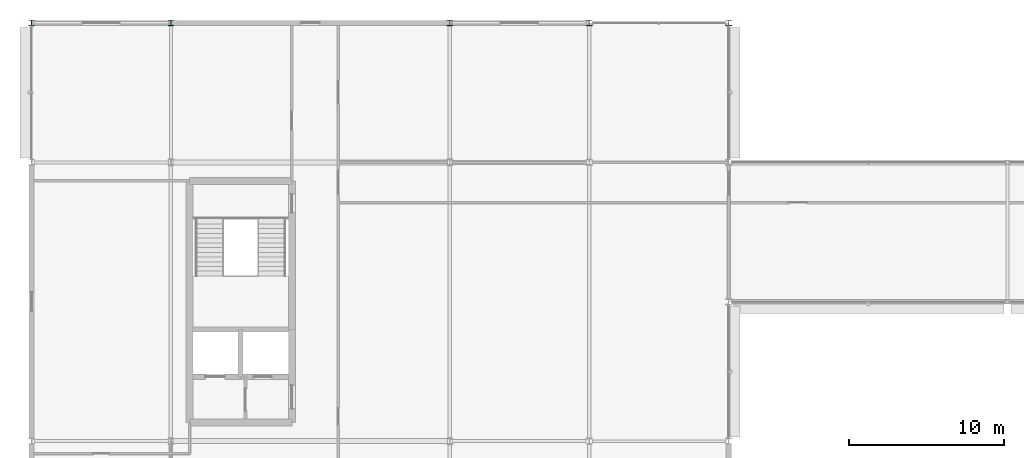
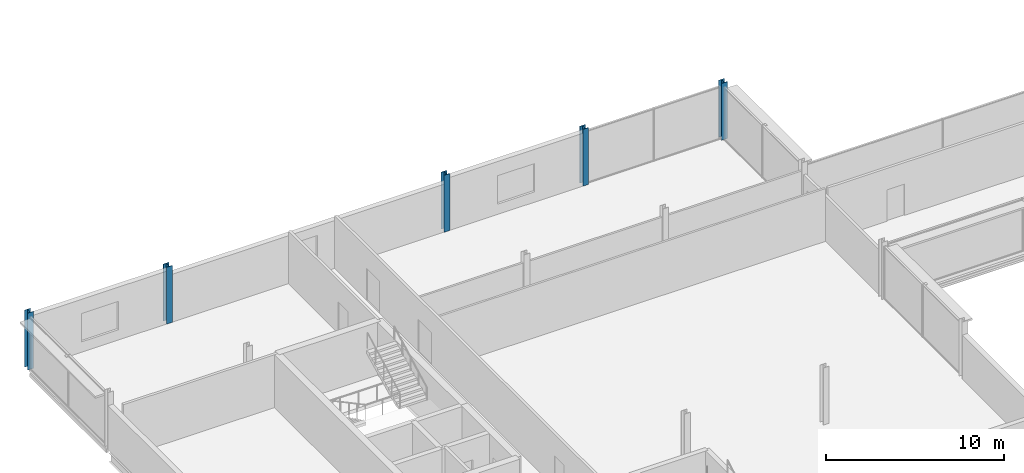
# One storey, part 7 of 98: 5 columns.
"""IFC4 building model written with IfcOpenShell, lengths in metres."""

from ifc_helpers import new_model, si_unit, direction, frame, origin, origin_2d, place, context, subcontext, project, spatial, i_section, extrude, material, material_profile, profile_set, type_object, element, save


model = new_model("IFC4")

# Units and contexts
model_context = context("Model", 3, precision=1e-05, world=origin(), true_north=direction((0.0, 1.0)))
body_context = subcontext(model_context, "Body", "Model", "MODEL_VIEW")
ifc_project = project(units=[si_unit("LENGTHUNIT", "METRE"), si_unit("AREAUNIT", "SQUARE_METRE"), si_unit("VOLUMEUNIT", "CUBIC_METRE"), si_unit("PLANEANGLEUNIT", "RADIAN"), si_unit("MASSUNIT", "GRAM", prefix="KILO")], contexts=[model_context])

# Site, building, storey
site_placement = place(None, origin())
site = spatial("IfcSite", under=ifc_project, at=site_placement, CompositionType="ELEMENT")
building_placement = place(site_placement, origin())
building = spatial("IfcBuilding", under=site, at=building_placement, Name="Kisiwana Market Hall", CompositionType="ELEMENT")
storey_placement = place(building_placement, frame((0.0, 0.0, 29.39990234375)))
storey = spatial("IfcBuildingStorey", under=building, at=storey_placement, Name="L06", CompositionType="ELEMENT", Elevation=29.39990234375)

# Columns
ifc_material_1 = material(Name="Steel S355", Category="steel")
ifc_material_profile_1 = material_profile(ifc_material_1, i_section(OverallWidth=0.37060546875, OverallDepth=0.362060546875, WebThickness=0.01220703125, FlangeThickness=0.020751953125, at=origin_2d()), Name="UC 356x368x153")
ifc_profile_set_1 = profile_set([ifc_material_profile_1], Name="Steel S355")
column_type_1 = type_object("IfcColumnType", Name="COL-STL-UC153", PredefinedType="COLUMN", material=ifc_profile_set_1)
for number, where, z_axis, x_axis, name in (
    (1, (0.0, 111.0, 0.0), (0.0, 0.0, 1.0), (1.0, 0.0, 0.0), "Column P/1 (L06) C-0982"),
    (2, (36.0, 111.0, 0.0), (0.0, 0.0, 1.0), (1.0, 0.0, 0.0), "Column P/5 (L06) C-1001"),
    (3, (45.0, 111.0, 0.0), (0.0, 0.0, 1.0), (1.0, 0.0, 0.0), "Column P/6 (L06) C-1010"),
):
    element("IfcColumn", number, at=place(storey_placement, frame(where, z_axis=z_axis, x_axis=x_axis)), inside=storey, type_object=column_type_1, Name=name, PredefinedType="COLUMN", context=body_context, shape_type="SweptSolid", body=[
        extrude(i_section(OverallWidth=0.37060546875, OverallDepth=0.362060546875, WebThickness=0.01220703125, FlangeThickness=0.020751953125, at=origin_2d()), origin(), (0.0, 0.0, 1.0), 3.900146484375),
    ])
ifc_material_2 = material(Name="Steel S355", Category="steel")
ifc_material_profile_2 = material_profile(ifc_material_2, i_section(OverallWidth=0.374755859375, OverallDepth=0.37451171875, WebThickness=0.0166015625, FlangeThickness=0.027099609375, at=origin_2d()), Name="UC 356x368x202")
ifc_profile_set_2 = profile_set([ifc_material_profile_2], Name="Steel S355")
column_type_2 = type_object("IfcColumnType", Name="COL-STL-UC202", PredefinedType="COLUMN", material=ifc_profile_set_2)
for number, where, z_axis, x_axis, name in (
    (4, (9.0, 111.0, 0.0), (0.0, 0.0, 1.0), (1.0, 0.0, 0.0), "Column P/2 (L06) C-0988"),
    (5, (27.0, 111.0, 0.0), (0.0, 0.0, 1.0), (1.0, 0.0, 0.0), "Column P/4 (L06) C-0995"),
):
    element("IfcColumn", number, at=place(storey_placement, frame(where, z_axis=z_axis, x_axis=x_axis)), inside=storey, type_object=column_type_2, Name=name, PredefinedType="COLUMN", context=body_context, shape_type="SweptSolid", body=[
        extrude(i_section(OverallWidth=0.374755859375, OverallDepth=0.37451171875, WebThickness=0.0166015625, FlangeThickness=0.027099609375, at=origin_2d()), origin(), (0.0, 0.0, 1.0), 3.900146484375),
    ])

save(model, "model.ifc")
